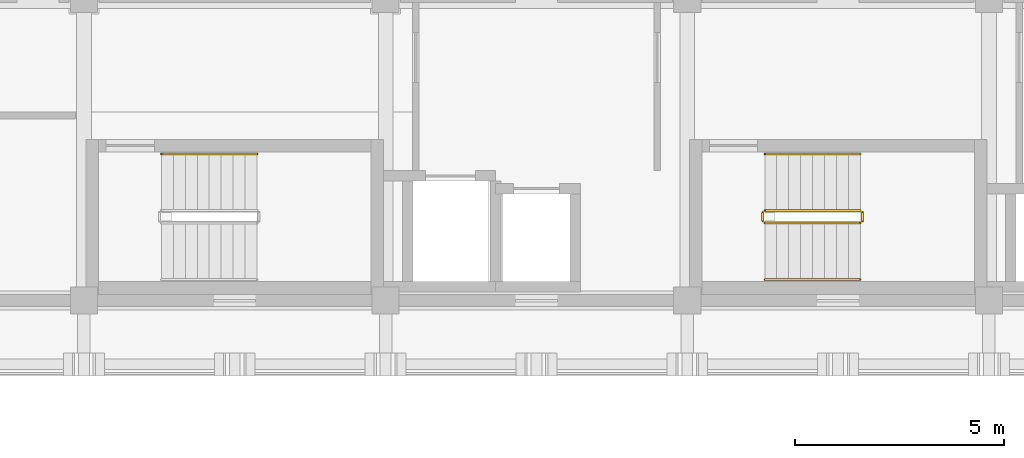
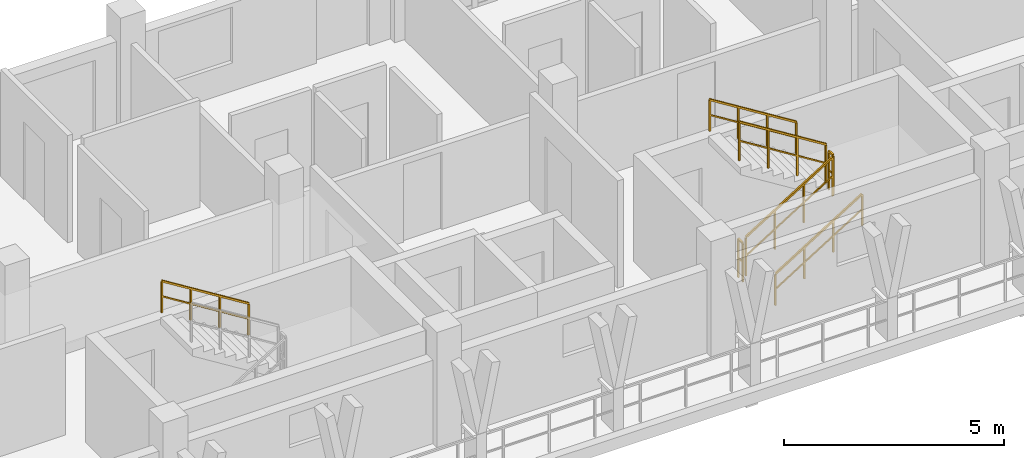
# One storey, part 68 of 76: 7 railings.
"""IFC4 building model written with IfcOpenShell, lengths in metres."""

from ifc_helpers import new_model, si_unit, direction, frame, origin, origin_2d, place, context, subcontext, project, spatial, rectangle, extrude, material, type_object, element, save


model = new_model("IFC4")

# Units and contexts
model_context = context("Model", 3, precision=1e-05, world=origin(), true_north=direction((0.0, 1.0)))
body_context = subcontext(model_context, "Body", "Model", "MODEL_VIEW")
ifc_project = project(units=[si_unit("LENGTHUNIT", "METRE"), si_unit("AREAUNIT", "SQUARE_METRE"), si_unit("VOLUMEUNIT", "CUBIC_METRE"), si_unit("PLANEANGLEUNIT", "RADIAN"), si_unit("MASSUNIT", "GRAM", prefix="KILO")], contexts=[model_context])

# Site, building, storey
site_placement = place(None, origin())
site = spatial("IfcSite", under=ifc_project, at=site_placement, CompositionType="ELEMENT")
building_placement = place(site_placement, origin())
building = spatial("IfcBuilding", under=site, at=building_placement, Name="Suanplinth Sawtooth Commons", CompositionType="ELEMENT")
storey_placement = place(building_placement, frame((0.0, 0.0, 12.199951171875)))
storey = spatial("IfcBuildingStorey", under=building, at=storey_placement, Name="L03", CompositionType="ELEMENT", Elevation=12.199951171875)

# Railings
ifc_material = material(Name="Stainless steel Grade 304", Category="steel")
railing_type_1 = type_object("IfcRailingType", Name="GR-04", PredefinedType="GUARDRAIL", material=ifc_material)
railing_1_placement = place(storey_placement, frame((59.449951171875, 109.85009765625, 0.177734375)))
element("IfcRailing", 1, at=railing_1_placement, inside=storey, type_object=railing_type_1, Name="L03 ST-N2 Guard 1", PredefinedType="GUARDRAIL", context=body_context, shape_type="SweptSolid", body=[
    extrude(rectangle(XDim=0.048095703125, YDim=0.048095703125, at=origin_2d()), frame((0.0, 0.0, 1.076171875), z_axis=(0.848442045328, 0.0, 0.529288291689), x_axis=(0.0, 1.0, 0.0)), (0.0, 0.0, 1.0), 2.687255859375),
    extrude(rectangle(XDim=0.03369140625, YDim=0.03369140625, at=origin_2d()), frame((0.0, 0.0, 0.550048828125), z_axis=(0.848442045328, 0.0, 0.529288291689), x_axis=(0.0, 1.0, 0.0)), (0.0, 0.0, 1.0), 2.687255859375),
    extrude(rectangle(XDim=0.0419921875, YDim=0.0419921875, at=origin_2d()), origin(), (0.0, 0.0, 1.0), 1.052001953125),
    extrude(rectangle(XDim=0.0419921875, YDim=0.0419921875, at=origin_2d()), frame((0.760009765625, 0.0, 0.47412109375)), (0.0, 0.0, 1.0), 1.052001953125),
    extrude(rectangle(XDim=0.0419921875, YDim=0.0419921875, at=origin_2d()), frame((1.52001953125, 0.0, 0.9482421875)), (0.0, 0.0, 1.0), 1.052001953125),
    extrude(rectangle(XDim=0.0419921875, YDim=0.0419921875, at=origin_2d()), frame((2.280029296875, 0.0, 1.42236328125)), (0.0, 0.0, 1.0), 1.052001953125),
])
railing_2_placement = place(storey_placement, frame((61.780029296875, 109.89990234375, 1.60009765625)))
element("IfcRailing", 2, at=railing_2_placement, inside=storey, type_object=railing_type_1, Name="L03 ST-N2 Guard 2", PredefinedType="GUARDRAIL", context=body_context, shape_type="SweptSolid", body=[
    extrude(rectangle(XDim=0.048095703125, YDim=0.048095703125, at=origin_2d()), frame((0.0, 0.0, 1.076171875), z_axis=(0.0, 1.0, 0.0), x_axis=(-1.0, 0.0, 0.0)), (0.0, 0.0, 1.0), 0.2001953125),
    extrude(rectangle(XDim=0.03369140625, YDim=0.03369140625, at=origin_2d()), frame((0.0, 0.0, 0.550048828125), z_axis=(0.0, 1.0, 0.0), x_axis=(-1.0, 0.0, 0.0)), (0.0, 0.0, 1.0), 0.2001953125),
    extrude(rectangle(XDim=0.0419921875, YDim=0.0419921875, at=origin_2d()), origin(), (0.0, 0.0, 1.0), 1.052001953125),
    extrude(rectangle(XDim=0.0419921875, YDim=0.0419921875, at=origin_2d()), frame((0.0, 0.2001953125, 0.0)), (0.0, 0.0, 1.0), 1.052001953125),
])
railing_3_placement = place(storey_placement, frame((61.72998046875, 110.14990234375, 1.77783203125)))
element("IfcRailing", 3, at=railing_3_placement, inside=storey, type_object=railing_type_1, Name="L03 ST-N2 Guard 3", PredefinedType="GUARDRAIL", context=body_context, shape_type="SweptSolid", body=[
    extrude(rectangle(XDim=0.048095703125, YDim=0.048095703125, at=origin_2d()), frame((0.0, 0.0, 1.076171875), z_axis=(-0.848482842525, 0.0, 0.529222888715), x_axis=(0.0, -1.0, 0.0)), (0.0, 0.0, 1.0), 2.687255859375),
    extrude(rectangle(XDim=0.03369140625, YDim=0.03369140625, at=origin_2d()), frame((0.0, 0.0, 0.550048828125), z_axis=(-0.848482842525, 0.0, 0.529222888715), x_axis=(0.0, -1.0, 0.0)), (0.0, 0.0, 1.0), 2.687255859375),
    extrude(rectangle(XDim=0.0419921875, YDim=0.0419921875, at=origin_2d()), origin(), (0.0, 0.0, 1.0), 1.052001953125),
    extrude(rectangle(XDim=0.0419921875, YDim=0.0419921875, at=origin_2d()), frame((-0.760009765625, 0.0, 0.47412109375)), (0.0, 0.0, 1.0), 1.052001953125),
    extrude(rectangle(XDim=0.0419921875, YDim=0.0419921875, at=origin_2d()), frame((-1.52001953125, 0.0, 0.947998046875)), (0.0, 0.0, 1.0), 1.052001953125),
    extrude(rectangle(XDim=0.0419921875, YDim=0.0419921875, at=origin_2d()), frame((-2.280029296875, 0.0, 1.422119140625)), (0.0, 0.0, 1.0), 1.052001953125),
])
railing_4_placement = place(storey_placement, frame((59.39990234375, 109.89990234375, 0.0)))
element("IfcRailing", 4, at=railing_4_placement, inside=storey, type_object=railing_type_1, Name="L03 ST-N2 Guard 4", PredefinedType="GUARDRAIL", context=body_context, shape_type="SweptSolid", body=[
    extrude(rectangle(XDim=0.048095703125, YDim=0.048095703125, at=origin_2d()), frame((0.0, 0.0, 1.076171875), z_axis=(0.0, 1.0, 0.0), x_axis=(-1.0, 0.0, 0.0)), (0.0, 0.0, 1.0), 0.2001953125),
    extrude(rectangle(XDim=0.03369140625, YDim=0.03369140625, at=origin_2d()), frame((0.0, 0.0, 0.550048828125), z_axis=(0.0, 1.0, 0.0), x_axis=(-1.0, 0.0, 0.0)), (0.0, 0.0, 1.0), 0.2001953125),
    extrude(rectangle(XDim=0.0419921875, YDim=0.0419921875, at=origin_2d()), origin(), (0.0, 0.0, 1.0), 1.052001953125),
    extrude(rectangle(XDim=0.0419921875, YDim=0.0419921875, at=origin_2d()), frame((0.0, 0.2001953125, 0.0)), (0.0, 0.0, 1.0), 1.052001953125),
])
railing_type_2 = type_object("IfcRailingType", Name="HR-01", PredefinedType="HANDRAIL", material=ifc_material)
railing_5_placement = place(storey_placement, frame((47.330078125, 111.5, 1.77783203125)))
element("IfcRailing", 5, at=railing_5_placement, inside=storey, type_object=railing_type_2, Name="L03 ST-N1 Handrail 2", PredefinedType="HANDRAIL", context=body_context, shape_type="SweptSolid", body=[
    extrude(rectangle(XDim=0.048095703125, YDim=0.048095703125, at=origin_2d()), frame((0.0, 0.0, 0.8759765625), z_axis=(-0.848482842525, 0.0, 0.529222888715), x_axis=(0.0, -1.0, 0.0)), (0.0, 0.0, 1.0), 2.687255859375),
    extrude(rectangle(XDim=0.03369140625, YDim=0.03369140625, at=origin_2d()), frame((0.0, 0.0, 0.449951171875), z_axis=(-0.848482842525, 0.0, 0.529222888715), x_axis=(0.0, -1.0, 0.0)), (0.0, 0.0, 1.0), 2.687255859375),
    extrude(rectangle(XDim=0.0419921875, YDim=0.0419921875, at=origin_2d()), origin(), (0.0, 0.0, 1.0), 0.851806640625),
    extrude(rectangle(XDim=0.0419921875, YDim=0.0419921875, at=origin_2d()), frame((-0.760009765625, 0.0, 0.47412109375)), (0.0, 0.0, 1.0), 0.851806640625),
    extrude(rectangle(XDim=0.0419921875, YDim=0.0419921875, at=origin_2d()), frame((-1.52001953125, 0.0, 0.947998046875)), (0.0, 0.0, 1.0), 0.851806640625),
    extrude(rectangle(XDim=0.0419921875, YDim=0.0419921875, at=origin_2d()), frame((-2.280029296875, 0.0, 1.422119140625)), (0.0, 0.0, 1.0), 0.851806640625),
])
railing_6_placement = place(storey_placement, frame((59.449951171875, 108.5, 0.177734375)))
element("IfcRailing", 6, at=railing_6_placement, inside=storey, type_object=railing_type_2, Name="L03 ST-N2 Handrail 1", PredefinedType="HANDRAIL", context=body_context, shape_type="SweptSolid", body=[
    extrude(rectangle(XDim=0.048095703125, YDim=0.048095703125, at=origin_2d()), frame((0.0, 0.0, 0.8759765625), z_axis=(0.848442045328, 0.0, 0.529288291689), x_axis=(0.0, 1.0, 0.0)), (0.0, 0.0, 1.0), 2.687255859375),
    extrude(rectangle(XDim=0.03369140625, YDim=0.03369140625, at=origin_2d()), frame((0.0, 0.0, 0.449951171875), z_axis=(0.848442045328, 0.0, 0.529288291689), x_axis=(0.0, 1.0, 0.0)), (0.0, 0.0, 1.0), 2.687255859375),
    extrude(rectangle(XDim=0.0419921875, YDim=0.0419921875, at=origin_2d()), origin(), (0.0, 0.0, 1.0), 0.851806640625),
    extrude(rectangle(XDim=0.0419921875, YDim=0.0419921875, at=origin_2d()), frame((0.760009765625, 0.0, 0.47412109375)), (0.0, 0.0, 1.0), 0.851806640625),
    extrude(rectangle(XDim=0.0419921875, YDim=0.0419921875, at=origin_2d()), frame((1.52001953125, 0.0, 0.9482421875)), (0.0, 0.0, 1.0), 0.851806640625),
    extrude(rectangle(XDim=0.0419921875, YDim=0.0419921875, at=origin_2d()), frame((2.280029296875, 0.0, 1.42236328125)), (0.0, 0.0, 1.0), 0.851806640625),
])
railing_7_placement = place(storey_placement, frame((61.72998046875, 111.5, 1.77783203125)))
element("IfcRailing", 7, at=railing_7_placement, inside=storey, type_object=railing_type_2, Name="L03 ST-N2 Handrail 2", PredefinedType="HANDRAIL", context=body_context, shape_type="SweptSolid", body=[
    extrude(rectangle(XDim=0.048095703125, YDim=0.048095703125, at=origin_2d()), frame((0.0, 0.0, 0.8759765625), z_axis=(-0.848482842525, 0.0, 0.529222888715), x_axis=(0.0, -1.0, 0.0)), (0.0, 0.0, 1.0), 2.687255859375),
    extrude(rectangle(XDim=0.03369140625, YDim=0.03369140625, at=origin_2d()), frame((0.0, 0.0, 0.449951171875), z_axis=(-0.848482842525, 0.0, 0.529222888715), x_axis=(0.0, -1.0, 0.0)), (0.0, 0.0, 1.0), 2.687255859375),
    extrude(rectangle(XDim=0.0419921875, YDim=0.0419921875, at=origin_2d()), origin(), (0.0, 0.0, 1.0), 0.851806640625),
    extrude(rectangle(XDim=0.0419921875, YDim=0.0419921875, at=origin_2d()), frame((-0.760009765625, 0.0, 0.47412109375)), (0.0, 0.0, 1.0), 0.851806640625),
    extrude(rectangle(XDim=0.0419921875, YDim=0.0419921875, at=origin_2d()), frame((-1.52001953125, 0.0, 0.947998046875)), (0.0, 0.0, 1.0), 0.851806640625),
    extrude(rectangle(XDim=0.0419921875, YDim=0.0419921875, at=origin_2d()), frame((-2.280029296875, 0.0, 1.422119140625)), (0.0, 0.0, 1.0), 0.851806640625),
])

save(model, "model.ifc")
